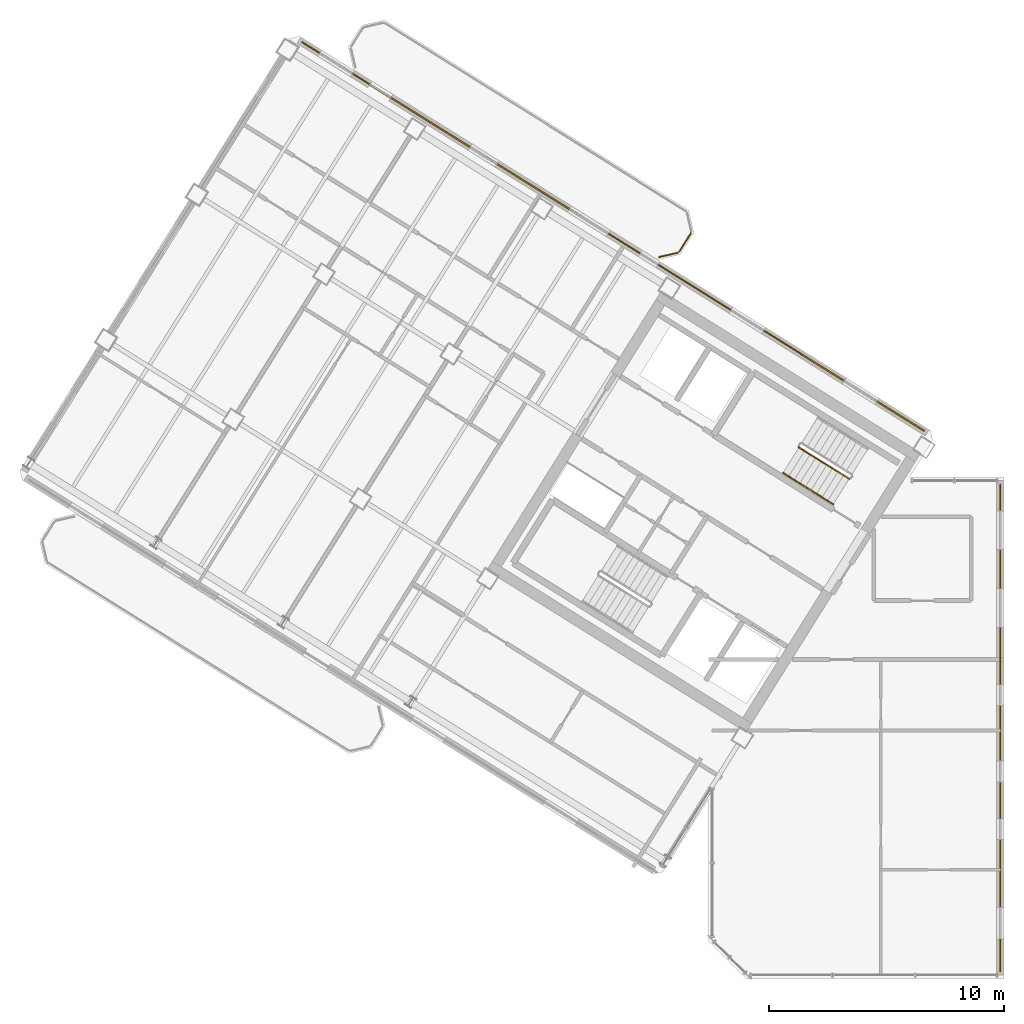
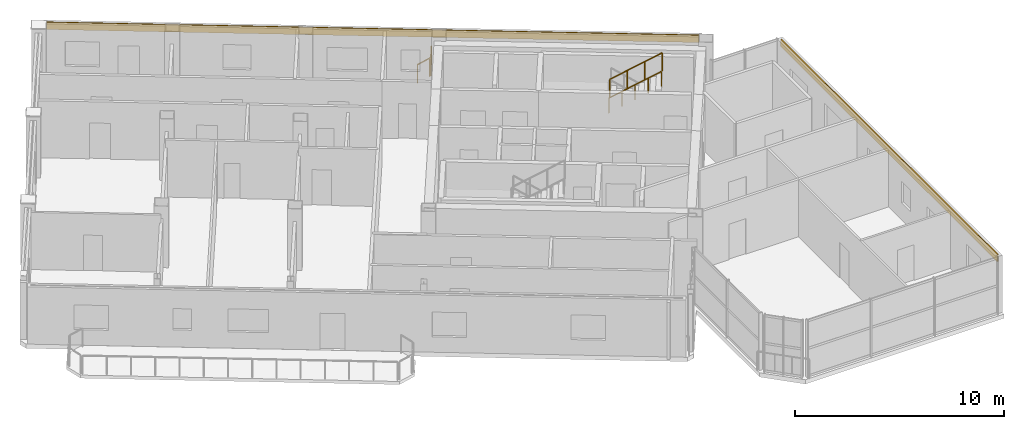
# One storey, part 16 of 17: 5 railings, 2 coverings.
"""IFC4 building model written with IfcOpenShell, lengths in metres."""

from ifc_helpers import new_model, si_unit, direction, frame, origin, origin_2d, place, context, subcontext, project, spatial, rectangle, extrude, source, transform, mapped, material, layer, layer_set, type_object, element, save


model = new_model("IFC4")

# Units and contexts
model_context = context("Model", 3, precision=1e-05, world=origin(), true_north=direction((0.0, 1.0)))
body_context = subcontext(model_context, "Body", "Model", "MODEL_VIEW")
ifc_project = project(units=[si_unit("LENGTHUNIT", "METRE"), si_unit("AREAUNIT", "SQUARE_METRE"), si_unit("VOLUMEUNIT", "CUBIC_METRE"), si_unit("PLANEANGLEUNIT", "RADIAN"), si_unit("MASSUNIT", "GRAM", prefix="KILO")], contexts=[model_context])

# Site, building, storey
site_placement = place(None, origin())
site = spatial("IfcSite", under=ifc_project, at=site_placement, CompositionType="ELEMENT")
building_placement = place(site_placement, origin())
building = spatial("IfcBuilding", under=site, at=building_placement, Name="Tlacorven Tower", CompositionType="ELEMENT")
storey_placement = place(building_placement, frame((0.0, 0.0, 277.199951171875)))
storey = spatial("IfcBuildingStorey", under=building, at=storey_placement, Name="L70", CompositionType="ELEMENT", Elevation=277.199951171875)

# Railings
ifc_material_1 = material(Name="Aluminium and painted steel balustrade", Category="steel")
railing_type_1 = type_object("IfcRailingType", Name="RL-BAL-1100", PredefinedType="BALUSTRADE", material=ifc_material_1)
shared_shape_1 = source(origin(), body_context, "Body", "SweptSolid", [
    extrude(rectangle(XDim=0.048095703125, YDim=0.048095703125, at=origin_2d()), frame((0.0, 0.0, 1.076171875), z_axis=(-0.52987865805, -0.848073468364, 0.0), x_axis=(0.848073468364, -0.52987865805, 0.0)), (0.0, 0.0, 1.0), 0.912353515625),
    extrude(rectangle(XDim=0.0419921875, YDim=0.0419921875, at=origin_2d()), origin(), (0.0, 0.0, 1.0), 1.052001953125),
    extrude(rectangle(XDim=0.0419921875, YDim=0.0419921875, at=origin_2d()), frame((-0.4833984375, -0.773681640625, 0.0)), (0.0, 0.0, 1.0), 1.052001953125),
])
railing_1_placement = place(storey_placement, frame((30.845947265625, 33.588623046875, 0.0)))
element("IfcRailing", 1, at=railing_1_placement, inside=storey, type_object=railing_type_1, Name="BAL-L70-W-IN Guard Railing 2", PredefinedType="BALUSTRADE", context=body_context, shape_type="MappedRepresentation", body=[
    mapped(shared_shape_1, transform((0.0, 0.0, 0.0), scale=1.0)),
])
shared_shape_2 = source(origin(), body_context, "Body", "SweptSolid", [
    extrude(rectangle(XDim=0.048095703125, YDim=0.048095703125, at=origin_2d()), frame((0.0, 0.0, 1.076171875), z_axis=(-0.974345290916, -0.225058334816, 0.0), x_axis=(0.225058334816, -0.974345290916, 0.0)), (0.0, 0.0, 1.0), 0.80712890625),
    extrude(rectangle(XDim=0.0419921875, YDim=0.0419921875, at=origin_2d()), origin(), (0.0, 0.0, 1.0), 1.052001953125),
    extrude(rectangle(XDim=0.0419921875, YDim=0.0419921875, at=origin_2d()), frame((-0.786376953125, -0.181640625, 0.0)), (0.0, 0.0, 1.0), 1.052001953125),
])
railing_2_placement = place(storey_placement, frame((30.287353515625, 32.761474609375, 0.0)))
element("IfcRailing", 2, at=railing_2_placement, inside=storey, type_object=railing_type_1, Name="BAL-L70-W-IN Guard Railing 3", PredefinedType="BALUSTRADE", context=body_context, shape_type="MappedRepresentation", body=[
    mapped(shared_shape_2, transform((0.0, 0.0, 0.0), scale=1.0)),
])

# Coverings
ifc_material_2 = material(Name="Precast concrete C45/55", Category="concrete")
ifc_layer = layer(ifc_material_2, 0.06005859375)
ifc_layer_set = layer_set([ifc_layer], Name="Precast concrete C45/55")
covering_type = type_object("IfcCoveringType", Name="CV-CLD-TERC", PredefinedType="CLADDING", material=ifc_layer_set)
shared_shape_3 = source(origin(), body_context, "Body", "SweptSolid", [
    extrude(rectangle(XDim=31.287353515625, YDim=0.06005859375, at=origin_2d()), origin(), (0.0, 0.0, 1.0), 0.419921875),
])
covering_1_placement = place(storey_placement, frame((27.5322265625, 33.455810546875, 2.93017578125), z_axis=(0.0, 0.0, 1.0), x_axis=(0.84804812172, -0.529919223323, 0.0)))
element("IfcCovering", 3, at=covering_1_placement, inside=storey, type_object=covering_type, Name="L70 Masonry-Frame Spandrel Cladding 4", PredefinedType="CLADDING", context=body_context, shape_type="MappedRepresentation", body=[
    mapped(shared_shape_3, transform((0.0, 0.0, 0.0), scale=1.0)),
])
shared_shape_4 = source(origin(), body_context, "Body", "SweptSolid", [
    extrude(rectangle(XDim=20.780029296875, YDim=0.06005859375, at=origin_2d()), origin(), (0.0, 0.0, 1.0), 0.419921875),
])
covering_2_placement = place(storey_placement, frame((44.0400390625, 12.5, 2.93017578125), z_axis=(0.0, 0.0, 1.0), x_axis=(0.0, -1.0, 0.0)))
element("IfcCovering", 4, at=covering_2_placement, inside=storey, type_object=covering_type, Name="L70 Masonry-Frame Spandrel Cladding 1", PredefinedType="CLADDING", context=body_context, shape_type="MappedRepresentation", body=[
    mapped(shared_shape_4, transform((0.0, 0.0, 0.0), scale=1.0)),
])

# Railings
railing_type_2 = type_object("IfcRailingType", Name="RL-HND-0900", PredefinedType="HANDRAIL", material=ifc_material_1)
shared_shape_5 = source(origin(), body_context, "Body", "SweptSolid", [
    extrude(rectangle(XDim=0.048095703125, YDim=0.048095703125, at=origin_2d()), frame((0.0, 0.0, 0.8759765625), z_axis=(0.713359751793, -0.4457479829, 0.540764828981), x_axis=(0.529911857636, 0.848052724267, 0.0)), (0.0, 0.0, 1.0), 1.498046875),
    extrude(rectangle(XDim=0.0419921875, YDim=0.0419921875, at=origin_2d()), origin(), (0.0, 0.0, 1.0), 0.851806640625),
    extrude(rectangle(XDim=0.0419921875, YDim=0.0419921875, at=origin_2d()), frame((0.5341796875, -0.333984375, 0.405029296875)), (0.0, 0.0, 1.0), 0.851806640625),
    extrude(rectangle(XDim=0.0419921875, YDim=0.0419921875, at=origin_2d()), frame((1.068603515625, -0.667724609375, 0.81005859375)), (0.0, 0.0, 1.0), 0.851806640625),
])
for number, where, name in (
    (5, (34.7802734375, 23.372802734375, 1.97998046875), "L70 ST-W2 stair handrail 3"),
    (6, (35.848876953125, 22.705078125, 2.7900390625), "L70 ST-W2 stair handrail 4"),
):
    element("IfcRailing", number, at=place(storey_placement, frame(where)), inside=storey, type_object=railing_type_2, Name=name, PredefinedType="HANDRAIL", context=body_context, shape_type="MappedRepresentation", body=[
        mapped(shared_shape_5, transform((0.0, 0.0, 0.0), scale=1.0)),
    ])
railing_type_3 = type_object("IfcRailingType", Name="RL-GRD-1100", PredefinedType="GUARDRAIL", material=ifc_material_1)
shared_shape_6 = source(origin(), body_context, "Body", "SweptSolid", [
    extrude(rectangle(XDim=0.048095703125, YDim=0.048095703125, at=origin_2d()), frame((0.0, 0.0, 1.076171875), z_axis=(0.713385662783, -0.445682681033, 0.540784470897), x_axis=(0.52984217967, 0.848096259066, 0.0)), (0.0, 0.0, 1.0), 2.995849609375),
    extrude(rectangle(XDim=0.0419921875, YDim=0.0419921875, at=origin_2d()), origin(), (0.0, 0.0, 1.0), 1.052001953125),
    extrude(rectangle(XDim=0.0419921875, YDim=0.0419921875, at=origin_2d()), frame((0.71240234375, -0.445068359375, 0.5400390625)), (0.0, 0.0, 1.0), 1.052001953125),
    extrude(rectangle(XDim=0.0419921875, YDim=0.0419921875, at=origin_2d()), frame((1.4248046875, -0.89013671875, 1.080078125)), (0.0, 0.0, 1.0), 1.052001953125),
    extrude(rectangle(XDim=0.0419921875, YDim=0.0419921875, at=origin_2d()), frame((2.13720703125, -1.335205078125, 1.6201171875)), (0.0, 0.0, 1.0), 1.052001953125),
])
railing_3_placement = place(storey_placement, frame((35.45849609375, 24.458251953125, 1.97998046875)))
element("IfcRailing", 7, at=railing_3_placement, inside=storey, type_object=railing_type_3, Name="L70 ST-W2 stair guard 3", PredefinedType="GUARDRAIL", context=body_context, shape_type="MappedRepresentation", body=[
    mapped(shared_shape_6, transform((0.0, 0.0, 0.0), scale=1.0)),
])

save(model, "model.ifc")
